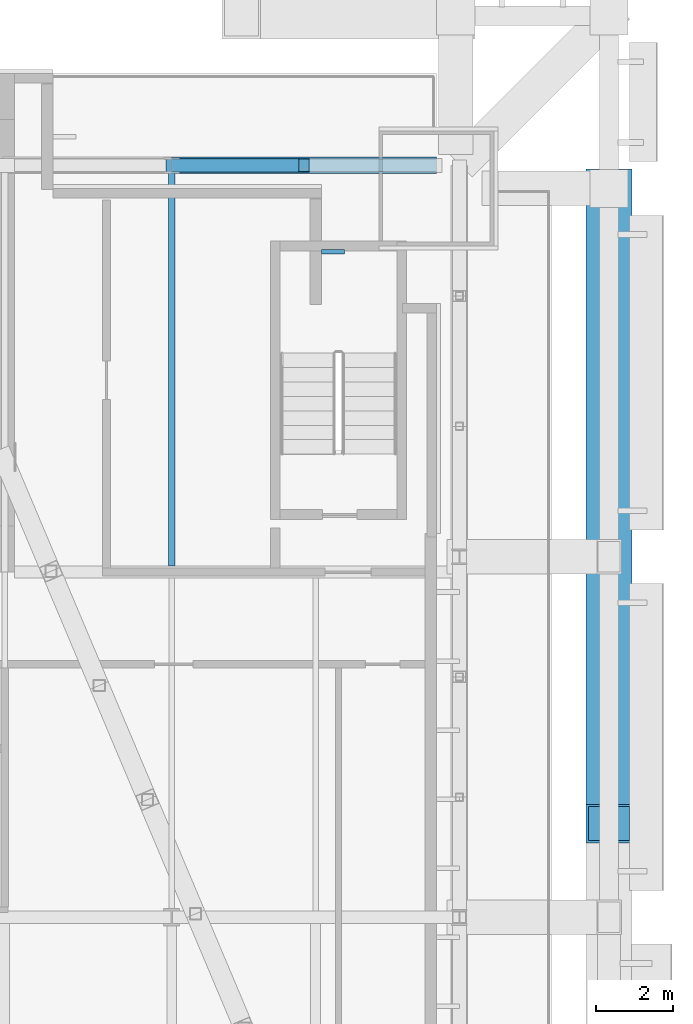
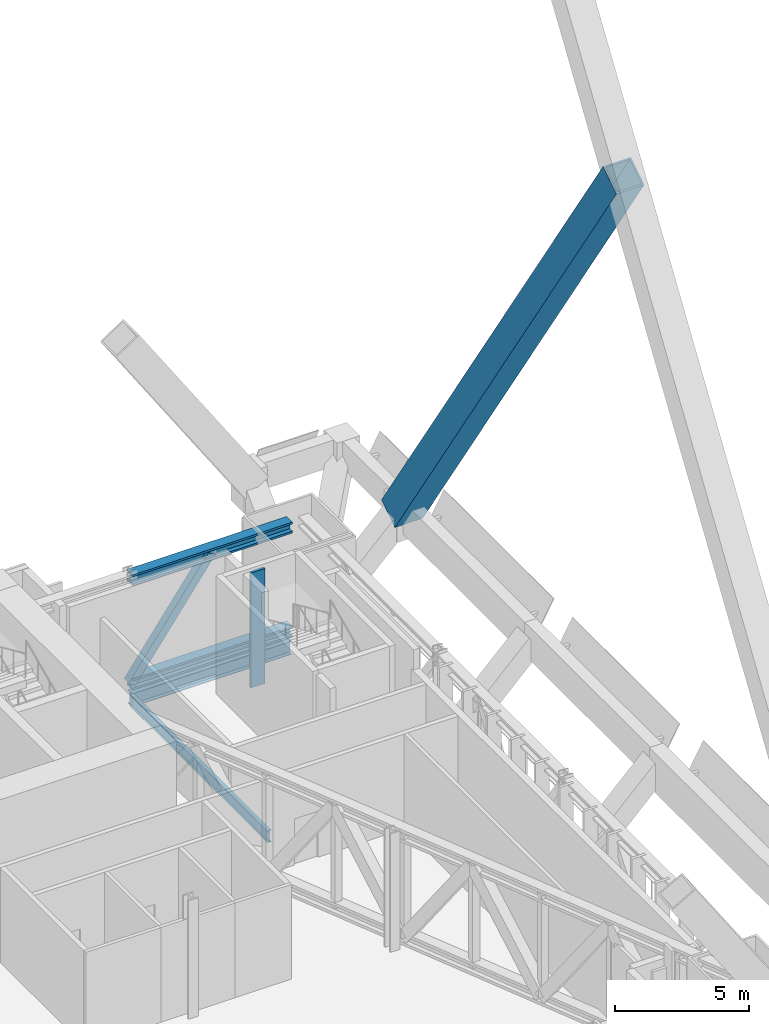
# One storey, part 19 of 32: 5 members, 2 beams, 1 element without a shape of its own.
"""IFC4 building model written with IfcOpenShell, lengths in metres."""

import ifcopenshell
import ifcopenshell.guid

model = None  # the IFC model being written
_history = None  # IfcOwnerHistory: only IFC2X3 demands one
_inside = {}  # id of a spatial element -> (the spatial element, [elements in it])
_under = {}  # id of a project, library or spatial element -> (it, [spatial elements below it])
_declared = {}  # id of a project -> (the project, [libraries it declares])
_typed = {}  # id of a type object -> (the type object, [elements of that type])
_made_of = {}  # id of a material, layer set ... -> (it, [elements and type objects made of it])


def new_model(schema):
    """Start an empty IFC model of exactly this schema.

    Asked for "IFC4X3", IfcOpenShell would pick the latest addendum, in which some entities
    have other attributes; the version numbers below select the first issue.
    IFC2X3 requires an IfcOwnerHistory on every rooted entity: one is made here for all.
    """
    global model, _history
    if schema == "IFC4X3":
        model = ifcopenshell.file(schema_version=(4, 3, 0, 0))
    else:
        model = ifcopenshell.file(schema=schema)
    _inside.clear()
    _under.clear()
    _declared.clear()
    _typed.clear()
    _made_of.clear()
    _history = None
    if model.schema == "IFC2X3":
        org = make("IfcOrganization", Name="unknown")
        user = make(
            "IfcPersonAndOrganization",
            ThePerson=make("IfcPerson", FamilyName="unknown"),
            TheOrganization=org,
        )
        app = make(
            "IfcApplication",
            ApplicationDeveloper=org,
            Version="unknown",
            ApplicationFullName="unknown",
            ApplicationIdentifier="unknown",
        )
        _history = make(
            "IfcOwnerHistory",
            OwningUser=user,
            OwningApplication=app,
            ChangeAction="ADDED",
            CreationDate=0,
        )
    return model


def make(cls, **values):
    """One entity of the class cls with the attributes given. An attribute that is None is left unset."""
    return model.create_entity(
        cls, **{name: value for name, value in values.items() if value is not None}
    )


def rooted(cls, **values):
    """An entity with a GlobalId (a new one), such as an element, a storey or a relation."""
    return make(cls, GlobalId=ifcopenshell.guid.new(), OwnerHistory=_history, **values)


def si_unit(unit_type, name, prefix=None):
    """IfcSIUnit, for example si_unit("LENGTHUNIT", "METRE", prefix="MILLI")."""
    return make("IfcSIUnit", UnitType=unit_type, Prefix=prefix, Name=name)


def assignment(units):
    """IfcUnitAssignment: the units of a project."""
    return None if units is None else make("IfcUnitAssignment", Units=units)


def point(xyz):
    """IfcCartesianPoint."""
    return None if xyz is None else make("IfcCartesianPoint", Coordinates=xyz)


def direction(xyz):
    """IfcDirection."""
    return None if xyz is None else make("IfcDirection", DirectionRatios=xyz)


def frame(location, z_axis=None, x_axis=None):
    """IfcAxis2Placement3D, a coordinate frame: its origin and axes. An axis left out is left unset."""
    return make(
        "IfcAxis2Placement3D",
        Location=point(location),
        Axis=direction(z_axis),
        RefDirection=direction(x_axis),
    )


def frame_2d(location, x_axis=None):
    """IfcAxis2Placement2D, a coordinate frame in the plane: its origin and x axis."""
    return make(
        "IfcAxis2Placement2D", Location=point(location), RefDirection=direction(x_axis)
    )


def origin():
    """The frame at (0, 0, 0) with its axes left unset."""
    return frame((0.0, 0.0, 0.0))


def origin_2d():
    """The frame at (0, 0) in the plane with its x axis left unset."""
    return frame_2d((0.0, 0.0))


def place(relative_to, where):
    """IfcLocalPlacement: puts the frame where relative to a parent placement (None: the world)."""
    return make(
        "IfcLocalPlacement", PlacementRelTo=relative_to, RelativePlacement=where
    )


def context(
    kind, dimensions, precision=None, world=None, true_north=None, identifier=None
):
    """IfcGeometricRepresentationContext, for example the 3D "Model" context."""
    return make(
        "IfcGeometricRepresentationContext",
        ContextIdentifier=identifier,
        ContextType=kind,
        CoordinateSpaceDimension=dimensions,
        Precision=precision,
        WorldCoordinateSystem=world,
        TrueNorth=true_north,
    )


def subcontext(parent, identifier, kind, view, scale=None):
    """IfcGeometricRepresentationSubContext, for example "Body" below "Model"."""
    return make(
        "IfcGeometricRepresentationSubContext",
        ContextIdentifier=identifier,
        ContextType=kind,
        ParentContext=parent,
        TargetScale=scale,
        TargetView=view,
    )


def project(units=None, contexts=None):
    """IfcProject with its units and contexts."""
    return rooted(
        "IfcProject",
        Name="project",
        RepresentationContexts=contexts,
        UnitsInContext=assignment(units),
    )


def spatial(cls, under=None, at=None, **own):
    """A site, building, storey or space (cls), placed at a placement, below another one or the project."""
    s = rooted(cls, ObjectPlacement=at, **own)
    if under is not None:
        _under.setdefault(under.id(), (under, []))[1].append(s)
    return s


def profile(cls, at=None, kind="AREA", **sizes):
    """A parametric profile (cls). Its sizes go by their IFC names, for example OverallWidth=200.0."""
    return make(cls, ProfileType=kind, Position=at, **sizes)


def rectangle(**sizes):
    """IfcRectangleProfileDef."""
    return profile("IfcRectangleProfileDef", **sizes)


def hollow_rectangle(**sizes):
    """IfcRectangleHollowProfileDef."""
    return profile("IfcRectangleHollowProfileDef", **sizes)


def i_section(**sizes):
    """IfcIShapeProfileDef."""
    return profile("IfcIShapeProfileDef", **sizes)


def extrude(swept, where, along, depth):
    """IfcExtrudedAreaSolid: the profile swept, set in the frame where, extruded along a direction by depth."""
    return make(
        "IfcExtrudedAreaSolid",
        SweptArea=swept,
        Position=where,
        ExtrudedDirection=direction(along),
        Depth=depth,
    )


def shape(context_of_items, identifier, shape_type, items):
    """IfcShapeRepresentation: the items that make up one representation, for example the "Body"."""
    return make(
        "IfcShapeRepresentation",
        ContextOfItems=context_of_items,
        RepresentationIdentifier=identifier,
        RepresentationType=shape_type,
        Items=items,
    )


def material(Name=None, Category=None):
    """IfcMaterial."""
    return make("IfcMaterial", Name=Name, Category=Category)


def material_profile(
    of_material, cross_section, Name=None, Category=None, Priority=None
):
    """IfcMaterialProfile: a cross section and its material."""
    return make(
        "IfcMaterialProfile",
        Name=Name,
        Material=of_material,
        Profile=cross_section,
        Priority=Priority,
        Category=Category,
    )


def profile_set(profiles, Name=None, composite=None):
    """IfcMaterialProfileSet."""
    return make(
        "IfcMaterialProfileSet",
        Name=Name,
        MaterialProfiles=profiles,
        CompositeProfile=composite,
    )


def made_of(thing, what):
    """Note that an element or type object is made of a material, layer set ...; save() writes the relation."""
    if what is not None:
        _made_of.setdefault(what.id(), (what, []))[1].append(thing)
    return thing


def type_object(cls, material=None, **own):
    """A type object (cls), such as IfcWallType, which elements share."""
    return made_of(rooted(cls, **own), material)


def element(
    cls,
    number,
    at=None,
    inside=None,
    cuts=None,
    type_object=None,
    material=None,
    context=None,
    identifier="Body",
    shape_type=None,
    held_by="IfcProductDefinitionShape",
    body=None,
    shapes=None,
    **own,
):
    """One element of the class cls, such as IfcWall. Its Tag is "e" and its number.

    at: its placement. inside: the storey or other place that contains it. cuts: it is an
    opening in that element (IfcRelVoidsElement). A single representation is given by context,
    identifier, shape_type and body (its items); several are given by shapes. held_by: the class
    of the entity that holds the representations. save() writes the other relations.
    """
    e = rooted(cls, Tag="e%d" % number, ObjectPlacement=at, **own)
    if body is not None:
        shapes = [shape(context, identifier, shape_type, body)]
    if shapes is not None:
        e.Representation = make(held_by, Representations=shapes)
    if inside is not None:
        _inside.setdefault(inside.id(), (inside, []))[1].append(e)
    if cuts is not None:
        rooted(
            "IfcRelVoidsElement", RelatingBuildingElement=cuts, RelatedOpeningElement=e
        )
    if type_object is not None:
        _typed.setdefault(type_object.id(), (type_object, []))[1].append(e)
    return made_of(e, material)


def aggregate(whole, parts):
    """IfcRelAggregates: a whole, such as a stair, and the parts it consists of."""
    return rooted("IfcRelAggregates", RelatingObject=whole, RelatedObjects=parts)


def save(model, path):
    """Write the relations noted so far, then the file.

    IfcRelAggregates (storeys below a building ...), IfcRelContainedInSpatialStructure (elements
    in a storey), IfcRelDefinesByType, IfcRelAssociatesMaterial and IfcRelDeclares: one each for
    every whole, place, type object, material and project.
    """
    for whole, parts in _under.values():
        aggregate(whole, parts)
    for where, things in _inside.values():
        rooted(
            "IfcRelContainedInSpatialStructure",
            RelatedElements=things,
            RelatingStructure=where,
        )
    for kind, things in _typed.values():
        rooted("IfcRelDefinesByType", RelatedObjects=things, RelatingType=kind)
    for what, things in _made_of.values():
        rooted("IfcRelAssociatesMaterial", RelatedObjects=things, RelatingMaterial=what)
    for by, libraries in _declared.values():
        rooted("IfcRelDeclares", RelatingContext=by, RelatedDefinitions=libraries)
    model.write(path)


model = new_model("IFC4")

# Units and contexts
model_context = context("Model", 3, precision=1e-05, world=origin(), true_north=direction((0.0, 1.0)))
body_context = subcontext(model_context, "Body", "Model", "MODEL_VIEW")
ifc_project = project(units=[si_unit("LENGTHUNIT", "METRE"), si_unit("AREAUNIT", "SQUARE_METRE"), si_unit("VOLUMEUNIT", "CUBIC_METRE"), si_unit("PLANEANGLEUNIT", "RADIAN"), si_unit("MASSUNIT", "GRAM", prefix="KILO")], contexts=[model_context])

# Site, building, storey
site_placement = place(None, origin())
site = spatial("IfcSite", under=ifc_project, at=site_placement, CompositionType="ELEMENT")
building_placement = place(site_placement, origin())
building = spatial("IfcBuilding", under=site, at=building_placement, Name="Bicima Exchange Tower", CompositionType="ELEMENT")
storey_placement = place(building_placement, frame((0.0, 0.0, 84.5)))
storey = spatial("IfcBuildingStorey", under=building, at=storey_placement, Name="L17", CompositionType="ELEMENT", Elevation=84.5)

# Curtain wall, member
ifc_material_1 = material(Name="Anodised bronze aluminium", Category="aluminium")
curtain_wall_type = type_object("IfcCurtainWallType", Name="Band blade screen", PredefinedType="NOTDEFINED", material=ifc_material_1)
curtain_wall_placement = place(storey_placement, origin())
curtain_wall = element("IfcCurtainWall", 1, at=curtain_wall_placement, inside=storey, type_object=curtain_wall_type, Name="Band blade screen L17", PredefinedType="NOTDEFINED")
ifc_material_profile_1 = material_profile(ifc_material_1, rectangle(XDim=0.60009765625, YDim=0.1201171875, at=origin_2d()))
ifc_profile_set_1 = profile_set([ifc_material_profile_1], Name="Anodised bronze aluminium")
member_type_1 = type_object("IfcMemberType", Name="Band blade fin 600 x 120", PredefinedType="USERDEFINED", material=ifc_profile_set_1)
member_1_placement = place(storey_placement, frame((30.300048828125, -4.64990234375, 0.0), z_axis=(0.0, 0.0, 1.0), x_axis=(-1.0, 0.0, 0.0)))
member_1 = element("IfcMember", 2, at=member_1_placement, type_object=member_type_1, Name="Band blade fin 12", ObjectType="FIN", PredefinedType="USERDEFINED", context=body_context, shape_type="SweptSolid", body=[
    extrude(rectangle(XDim=0.60009765625, YDim=0.1201171875, at=origin_2d()), origin(), (0.0, 0.0, 1.0), 5.25),
])
aggregate(curtain_wall, [member_1])

# Members
ifc_material_2 = material(Name="Steel ASTM A992 Gr 50", Category="steel")
ifc_material_profile_2 = material_profile(ifc_material_2, i_section(OverallWidth=0.431884765625, OverallDepth=0.497802734375, WebThickness=0.0556640625, FlangeThickness=0.0888671875, at=origin_2d()))
ifc_profile_set_2 = profile_set([ifc_material_profile_2], Name="Steel ASTM A992 Gr 50")
member_type_2 = type_object("IfcMemberType", Name="Belt truss chord W14x500", PredefinedType="CHORD", material=ifc_profile_set_2)
for number, where, z_axis, x_axis, name in (
    (3, (26.10009765625, -2.39990234375, 5.001220703125), (1.0, 0.0, 0.0), (0.0, 1.0, 0.0), "Top chord"),
    (4, (26.10009765625, -2.39990234375, 0.248779296875), (1.0, 0.0, 0.0), (0.0, 1.0, 0.0), "Bottom chord"),
):
    element("IfcMember", number, at=place(storey_placement, frame(where, z_axis=z_axis, x_axis=x_axis)), inside=storey, type_object=member_type_2, Name=name, PredefinedType="CHORD", context=body_context, shape_type="SweptSolid", body=[
        extrude(i_section(OverallWidth=0.431884765625, OverallDepth=0.497802734375, WebThickness=0.0556640625, FlangeThickness=0.0888671875, at=origin_2d()), origin(), (0.0, 0.0, 1.0), 6.89990234375),
    ])
ifc_material_3 = material(Name="Steel ASTM A572 Gr 50", Category="steel")
ifc_material_profile_3 = material_profile(ifc_material_3, hollow_rectangle(XDim=0.355712890625, YDim=0.355712890625, WallThickness=0.0146484375, at=origin_2d()))
ifc_profile_set_3 = profile_set([ifc_material_profile_3], Name="Steel ASTM A572 Gr 50")
member_type_3 = type_object("IfcMemberType", Name="Belt truss diagonal HSS14x14x5/8", PredefinedType="STRUT", material=ifc_profile_set_3)
member_2_placement = place(storey_placement, frame((26.10009765625, -2.39990234375, 0.248779296875), z_axis=(0.587462041023, 0.0, 0.809251722493), x_axis=(0.0, 1.0, 0.0)))
element("IfcMember", 5, at=member_2_placement, inside=storey, type_object=member_type_3, Name="Truss diagonal", PredefinedType="STRUT", context=body_context, shape_type="SweptSolid", body=[
    extrude(hollow_rectangle(XDim=0.355712890625, YDim=0.355712890625, WallThickness=0.0146484375, at=origin_2d()), origin(), (0.0, 0.0, 1.0), 5.87255859375),
])
ifc_material_profile_4 = material_profile(ifc_material_3, hollow_rectangle(XDim=1.199951171875, YDim=1.199951171875, WallThickness=0.070068359375, at=origin_2d()))
ifc_profile_set_4 = profile_set([ifc_material_profile_4], Name="Steel ASTM A572 Gr 50")
member_type_4 = type_object("IfcMemberType", Name="Exo mega brace BOX 1200x1200x70", PredefinedType="BRACE", material=ifc_profile_set_4)
member_3_placement = place(storey_placement, frame((37.5, -3.0, 4.5), z_axis=(0.0, -0.54833425175, 0.836259259057), x_axis=(1.0, 0.0, 0.0)))
element("IfcMember", 6, at=member_3_placement, inside=storey, type_object=member_type_4, Name="Exo mega brace end", PredefinedType="BRACE", context=body_context, shape_type="SweptSolid", body=[
    extrude(hollow_rectangle(XDim=1.199951171875, YDim=1.199951171875, WallThickness=0.070068359375, at=origin_2d()), origin(), (0.0, 0.0, 1.0), 30.194091796875),
])

# Beams
ifc_material_profile_5 = material_profile(ifc_material_2, i_section(OverallWidth=0.165771484375, OverallDepth=0.5283203125, WebThickness=0.009765625, FlangeThickness=0.013671875, at=origin_2d()))
ifc_profile_set_5 = profile_set([ifc_material_profile_5], Name="Steel ASTM A992 Gr 50")
beam_type_1 = type_object("IfcBeamType", Name="Floor beam W21x50", PredefinedType="JOIST", material=ifc_profile_set_5)
beam_1_placement = place(storey_placement, frame((26.10009765625, -2.5625, -0.464111328125), z_axis=(0.0, -1.0, 0.0), x_axis=(1.0, 0.0, 0.0)))
element("IfcBeam", 7, at=beam_1_placement, inside=storey, type_object=beam_type_1, Name="Floor beam", PredefinedType="JOIST", context=body_context, shape_type="SweptSolid", body=[
    extrude(i_section(OverallWidth=0.165771484375, OverallDepth=0.5283203125, WebThickness=0.009765625, FlangeThickness=0.013671875, at=origin_2d()), origin(), (0.0, 0.0, 1.0), 10.28515625),
])
ifc_material_profile_6 = material_profile(ifc_material_2, i_section(OverallWidth=0.3251953125, OverallDepth=0.612060546875, WebThickness=0.0126953125, FlangeThickness=0.01904296875, at=origin_2d()))
ifc_profile_set_6 = profile_set([ifc_material_profile_6], Name="Steel ASTM A992 Gr 50")
beam_type_2 = type_object("IfcBeamType", Name="Rear girder W24x104", PredefinedType="BEAM", material=ifc_profile_set_6)
beam_2_placement = place(storey_placement, frame((26.10009765625, -2.39990234375, -0.506103515625), z_axis=(1.0, 0.0, 0.0), x_axis=(0.0, 1.0, 0.0)))
element("IfcBeam", 8, at=beam_2_placement, inside=storey, type_object=beam_type_2, Name="Rear girder", PredefinedType="BEAM", context=body_context, shape_type="SweptSolid", body=[
    extrude(i_section(OverallWidth=0.3251953125, OverallDepth=0.612060546875, WebThickness=0.0126953125, FlangeThickness=0.01904296875, at=origin_2d()), origin(), (0.0, 0.0, 1.0), 6.89990234375),
])

save(model, "model.ifc")
